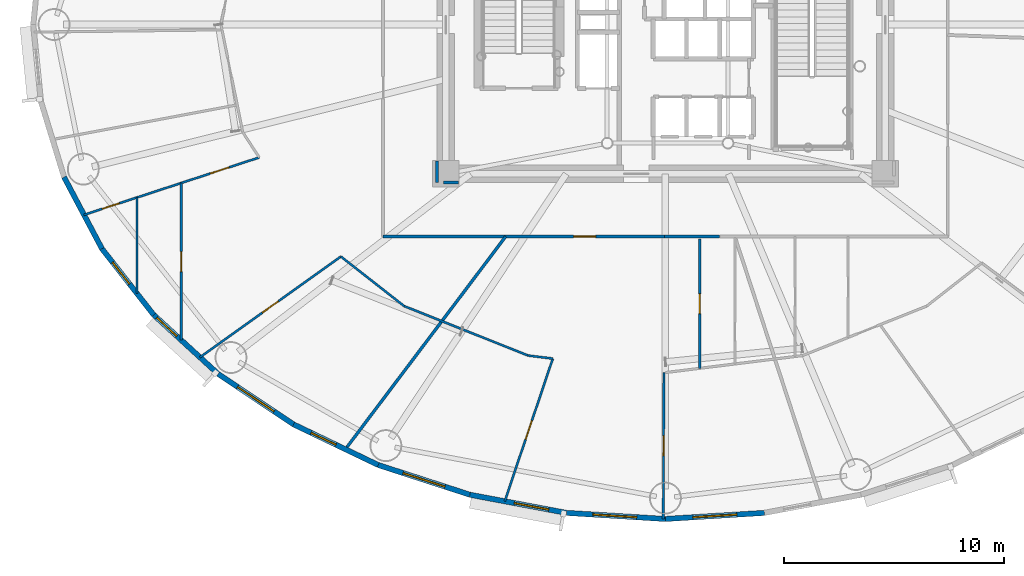
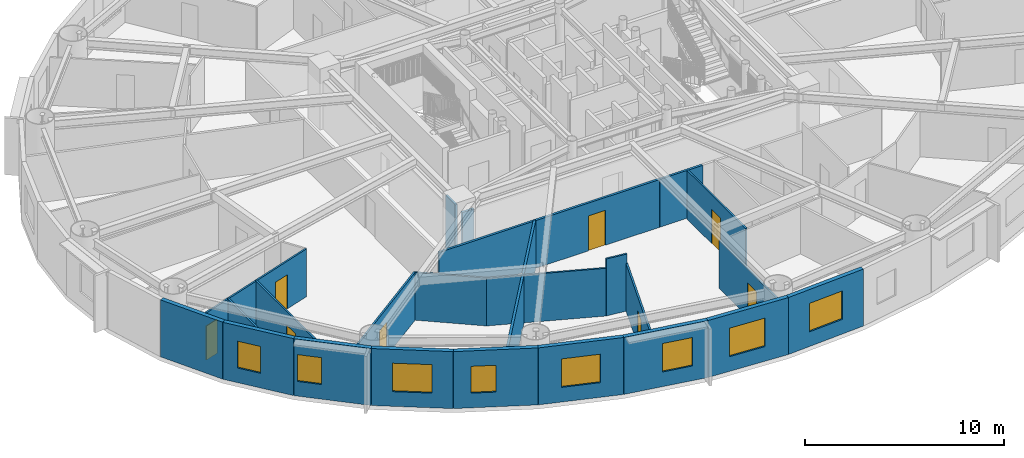
# One storey, part 8 of 19: 24 walls, 8 doors, 8 windows, 16 openings.
"""IFC4 building model written with IfcOpenShell, lengths in metres."""

from ifc_helpers import new_model, si_unit, direction, frame, frame_2d, origin, origin_2d, place, context, subcontext, project, spatial, rectangle, extrude, source, transform, mapped, material, layer, layer_set, type_object, element, fill, save


model = new_model("IFC4")

# Units and contexts
model_context = context("Model", 3, precision=1e-05, world=origin(), true_north=direction((0.0, 1.0)))
body_context = subcontext(model_context, "Body", "Model", "MODEL_VIEW")
ifc_project = project(units=[si_unit("LENGTHUNIT", "METRE"), si_unit("AREAUNIT", "SQUARE_METRE"), si_unit("VOLUMEUNIT", "CUBIC_METRE"), si_unit("PLANEANGLEUNIT", "RADIAN"), si_unit("MASSUNIT", "GRAM", prefix="KILO")], contexts=[model_context])

# Site, building, storey
site_placement = place(None, origin())
site = spatial("IfcSite", under=ifc_project, at=site_placement, CompositionType="ELEMENT")
building_placement = place(site_placement, origin())
building = spatial("IfcBuilding", under=site, at=building_placement, Name="Linh Dai School and Residence Tower", CompositionType="ELEMENT")
storey_placement = place(building_placement, frame((0.0, 0.0, 112.199951171875)))
storey = spatial("IfcBuildingStorey", under=building, at=storey_placement, Name="L26", CompositionType="ELEMENT", Elevation=112.199951171875)

# Wall
ifc_material_1 = material(Name="Precast Concrete B45 (C35/45)", Category="concrete")
ifc_layer_1 = layer(ifc_material_1, 0.239990234375)
ifc_layer_set_1 = layer_set([ifc_layer_1], Name="Precast Concrete B45 (C35/45)")
wall_type_1 = type_object("IfcWallType", Name="EW-TC-240", PredefinedType="SOLIDWALL", material=ifc_layer_set_1)
wall_1_placement = place(storey_placement, frame((10.354736328125, 16.79443359375, 0.0), z_axis=(0.0, 0.0, 1.0), x_axis=(-0.467614004126, 0.883932770716, 0.0)))
element("IfcWall", 1, at=wall_1_placement, inside=storey, type_object=wall_type_1, Name="L26 Terracotta Exterior Wall 23", PredefinedType="SOLIDWALL", context=body_context, shape_type="SweptSolid", body=[
    extrude(rectangle(XDim=3.688720703125, YDim=0.239990234375, at=frame_2d((1.84423828125, 0.0))), origin(), (0.0, 0.0, 1.0), 3.5),
])

# Wall, opening, window
wall_2_placement = place(storey_placement, frame((12.7109375, 13.783447265625, 0.0), z_axis=(0.0, 0.0, 1.0), x_axis=(-0.616272103517, 0.787533297345, 0.0)))
wall_2 = element("IfcWall", 2, at=wall_2_placement, inside=storey, type_object=wall_type_1, Name="L26 Terracotta Exterior Wall 24", PredefinedType="SOLIDWALL", context=body_context, shape_type="SweptSolid", body=[
    extrude(rectangle(XDim=3.8232421875, YDim=0.239990234375, at=frame_2d((1.91162109375, 0.0))), origin(), (0.0, 0.0, 1.0), 3.5),
])
opening_1_placement = place(wall_2_placement, frame((1.791015625, 0.0, 0.89990234375)))
opening_1 = element("IfcOpeningElement", 3, at=opening_1_placement, cuts=wall_2, Name="Opening W3", PredefinedType="OPENING", context=body_context, shape_type="SweptSolid", body=[
    extrude(rectangle(XDim=1.25, YDim=1.64990234375, at=origin_2d()), frame((0.625, 0.1298828125, 0.824951171875), z_axis=(0.0, -1.0, 0.0), x_axis=(1.0, 0.0, 0.0)), (0.0, 0.0, 1.0), 0.260009765625),
])
ifc_material_2 = material(Name="Double Low-E Insulated Glazing", Category="glass")
window_type_1 = type_object("IfcWindowType", Name="WN-RES-1250x1650", PartitioningType="SINGLE_PANEL", PredefinedType="WINDOW", material=ifc_material_2)
shared_shape_1 = source(origin(), body_context, "Body", "SweptSolid", [
    extrude(rectangle(XDim=1.25, YDim=1.64990234375, at=origin_2d()), frame((0.625, 0.030029296875, 0.824951171875), z_axis=(0.0, -1.0, 0.0), x_axis=(1.0, 0.0, 0.0)), (0.0, 0.0, 1.0), 0.06005859375),
])
window_1_placement = place(opening_1_placement, origin())
window_1 = element("IfcWindow", 4, at=window_1_placement, inside=storey, type_object=window_type_1, Name="L26 Exterior Window 24.1", OverallHeight=1.64990234375, OverallWidth=1.25, PartitioningType="SINGLE_PANEL", PredefinedType="WINDOW", context=body_context, shape_type="MappedRepresentation", body=[
    mapped(shared_shape_1, transform((0.0, 0.0, 0.0), x_axis=(1.0, 0.0, 0.0), y_axis=(0.0, 1.0, 0.0), z_axis=(0.0, 0.0, 1.0), scale=1.0)),
])
fill(opening_1, window_1)

wall_3_placement = place(storey_placement, frame((15.6416015625, 11.0966796875, 0.0), z_axis=(0.0, 0.0, 1.0), x_axis=(-0.737113356241, 0.675769117414, 0.0)))
wall_3 = element("IfcWall", 5, at=wall_3_placement, inside=storey, type_object=wall_type_1, Name="L26 Terracotta Exterior Wall 25", PredefinedType="SOLIDWALL", context=body_context, shape_type="SweptSolid", body=[
    extrude(rectangle(XDim=3.975830078125, YDim=0.239990234375, at=frame_2d((1.98779296875, 0.0))), origin(), (0.0, 0.0, 1.0), 3.5),
])
opening_2_placement = place(wall_3_placement, frame((2.5458984375, 0.0, 0.89990234375)))
opening_2 = element("IfcOpeningElement", 6, at=opening_2_placement, cuts=wall_3, Name="Opening W3", PredefinedType="OPENING", context=body_context, shape_type="SweptSolid", body=[
    extrude(rectangle(XDim=1.25, YDim=1.64990234375, at=origin_2d()), frame((0.625, 0.1298828125, 0.824951171875), z_axis=(0.0, -1.0, 0.0), x_axis=(1.0, 0.0, 0.0)), (0.0, 0.0, 1.0), 0.260009765625),
])
window_2_placement = place(opening_2_placement, origin())
window_2 = element("IfcWindow", 7, at=window_2_placement, inside=storey, type_object=window_type_1, Name="L26 Dwelling Window U2603-LIV", OverallHeight=1.64990234375, OverallWidth=1.25, PartitioningType="SINGLE_PANEL", PredefinedType="WINDOW", context=body_context, shape_type="MappedRepresentation", body=[
    mapped(shared_shape_1, transform((0.0, 0.0, 0.0), x_axis=(1.0, 0.0, 0.0), y_axis=(0.0, 1.0, 0.0), z_axis=(0.0, 0.0, 1.0), scale=1.0)),
])
fill(opening_2, window_2)

wall_4_placement = place(storey_placement, frame((19.07470703125, 8.800537109375, 0.0), z_axis=(0.0, 0.0, 1.0), x_axis=(-0.831221811447, 0.555940914284, 0.0)))
wall_4 = element("IfcWall", 8, at=wall_4_placement, inside=storey, type_object=wall_type_1, Name="L26 Terracotta Exterior Wall 26", PredefinedType="SOLIDWALL", context=body_context, shape_type="SweptSolid", body=[
    extrude(rectangle(XDim=4.130126953125, YDim=0.239990234375, at=frame_2d((2.06494140625, 0.0))), origin(), (0.0, 0.0, 1.0), 3.5),
])
opening_3_placement = place(wall_4_placement, frame((1.06494140625, 0.0, 0.89990234375)))
opening_3 = element("IfcOpeningElement", 9, at=opening_3_placement, cuts=wall_4, Name="Opening W1", PredefinedType="OPENING", context=body_context, shape_type="SweptSolid", body=[
    extrude(rectangle(XDim=2.0, YDim=1.75, at=origin_2d()), frame((1.0, 0.1298828125, 0.875), z_axis=(0.0, -1.0, 0.0), x_axis=(1.0, 0.0, 0.0)), (0.0, 0.0, 1.0), 0.260009765625),
])
window_type_2 = type_object("IfcWindowType", Name="WN-RES-2000x1750", PartitioningType="DOUBLE_PANEL_VERTICAL", PredefinedType="WINDOW", material=ifc_material_2)
shared_shape_2 = source(origin(), body_context, "Body", "SweptSolid", [
    extrude(rectangle(XDim=2.0, YDim=1.75, at=origin_2d()), frame((1.0, 0.030029296875, 0.875), z_axis=(0.0, -1.0, 0.0), x_axis=(1.0, 0.0, 0.0)), (0.0, 0.0, 1.0), 0.06005859375),
])
window_3_placement = place(opening_3_placement, origin())
window_3 = element("IfcWindow", 10, at=window_3_placement, inside=storey, type_object=window_type_2, Name="L26 Exterior Window 26.1", OverallHeight=1.75, OverallWidth=2.0, PartitioningType="DOUBLE_PANEL_VERTICAL", PredefinedType="WINDOW", context=body_context, shape_type="MappedRepresentation", body=[
    mapped(shared_shape_2, transform((0.0, 0.0, 0.0), x_axis=(1.0, 0.0, 0.0), y_axis=(0.0, 1.0, 0.0), z_axis=(0.0, 0.0, 1.0), scale=1.0)),
])
fill(opening_3, window_3)

wall_5_placement = place(storey_placement, frame((22.926025390625, 6.95263671875, 0.0), z_axis=(0.0, 0.0, 1.0), x_axis=(-0.901589935876, 0.432591709962, 0.0)))
wall_5 = element("IfcWall", 11, at=wall_5_placement, inside=storey, type_object=wall_type_1, Name="L26 Terracotta Exterior Wall 27", PredefinedType="SOLIDWALL", context=body_context, shape_type="SweptSolid", body=[
    extrude(rectangle(XDim=4.271728515625, YDim=0.239990234375, at=frame_2d((2.1357421875, 0.0))), origin(), (0.0, 0.0, 1.0), 3.5),
])
opening_4_placement = place(wall_5_placement, frame((2.1318359375, 0.0, 0.89990234375)))
opening_4 = element("IfcOpeningElement", 12, at=opening_4_placement, cuts=wall_5, Name="Opening W3", PredefinedType="OPENING", context=body_context, shape_type="SweptSolid", body=[
    extrude(rectangle(XDim=1.25, YDim=1.64990234375, at=origin_2d()), frame((0.625, 0.1298828125, 0.824951171875), z_axis=(0.0, -1.0, 0.0), x_axis=(1.0, 0.0, 0.0)), (0.0, 0.0, 1.0), 0.260009765625),
])
window_4_placement = place(opening_4_placement, origin())
window_4 = element("IfcWindow", 13, at=window_4_placement, inside=storey, type_object=window_type_1, Name="L26 Exterior Window 27.1", OverallHeight=1.64990234375, OverallWidth=1.25, PartitioningType="SINGLE_PANEL", PredefinedType="WINDOW", context=body_context, shape_type="MappedRepresentation", body=[
    mapped(shared_shape_1, transform((0.0, 0.0, 0.0), x_axis=(1.0, 0.0, 0.0), y_axis=(0.0, 1.0, 0.0), z_axis=(0.0, 0.0, 1.0), scale=1.0)),
])
fill(opening_4, window_4)

wall_6_placement = place(storey_placement, frame((27.100341796875, 5.5986328125, 0.0), z_axis=(0.0, 0.0, 1.0), x_axis=(-0.951211346073, 0.308540070495, 0.0)))
wall_6 = element("IfcWall", 14, at=wall_6_placement, inside=storey, type_object=wall_type_1, Name="L26 Terracotta Exterior Wall 28", PredefinedType="SOLIDWALL", context=body_context, shape_type="SweptSolid", body=[
    extrude(rectangle(XDim=4.388427734375, YDim=0.239990234375, at=frame_2d((2.1943359375, 0.0))), origin(), (0.0, 0.0, 1.0), 3.5),
])
opening_5_placement = place(wall_6_placement, frame((1.194091796875, 0.0, 0.89990234375)))
opening_5 = element("IfcOpeningElement", 15, at=opening_5_placement, cuts=wall_6, Name="Opening W1", PredefinedType="OPENING", context=body_context, shape_type="SweptSolid", body=[
    extrude(rectangle(XDim=2.0, YDim=1.75, at=origin_2d()), frame((1.0, 0.1298828125, 0.875), z_axis=(0.0, -1.0, 0.0), x_axis=(1.0, 0.0, 0.0)), (0.0, 0.0, 1.0), 0.260009765625),
])
window_5_placement = place(opening_5_placement, origin())
window_5 = element("IfcWindow", 16, at=window_5_placement, inside=storey, type_object=window_type_2, Name="L26 Exterior Window 28.1", OverallHeight=1.75, OverallWidth=2.0, PartitioningType="DOUBLE_PANEL_VERTICAL", PredefinedType="WINDOW", context=body_context, shape_type="MappedRepresentation", body=[
    mapped(shared_shape_2, transform((0.0, 0.0, 0.0), x_axis=(1.0, 0.0, 0.0), y_axis=(0.0, 1.0, 0.0), z_axis=(0.0, 0.0, 1.0), scale=1.0)),
])
fill(opening_5, window_5)

wall_7_placement = place(storey_placement, frame((31.494384765625, 4.772705078125, 0.0), z_axis=(0.0, 0.0, 1.0), x_axis=(-0.982789252177, 0.184730305596, 0.0)))
wall_7 = element("IfcWall", 17, at=wall_7_placement, inside=storey, type_object=wall_type_1, Name="L26 Terracotta Exterior Wall 29", PredefinedType="SOLIDWALL", context=body_context, shape_type="SweptSolid", body=[
    extrude(rectangle(XDim=4.470947265625, YDim=0.239990234375, at=frame_2d((2.2353515625, 0.0))), origin(), (0.0, 0.0, 1.0), 3.5),
])
opening_6_placement = place(wall_7_placement, frame((0.813720703125, 0.0, 0.89990234375)))
opening_6 = element("IfcOpeningElement", 18, at=opening_6_placement, cuts=wall_7, Name="Opening W2", PredefinedType="OPENING", context=body_context, shape_type="SweptSolid", body=[
    extrude(rectangle(XDim=1.60009765625, YDim=1.75, at=origin_2d()), frame((0.800048828125, 0.1298828125, 0.875), z_axis=(0.0, -1.0, 0.0), x_axis=(1.0, 0.0, 0.0)), (0.0, 0.0, 1.0), 0.260009765625),
])
window_type_3 = type_object("IfcWindowType", Name="WN-RES-1600x1750", PartitioningType="DOUBLE_PANEL_VERTICAL", PredefinedType="WINDOW", material=ifc_material_2)
shared_shape_3 = source(origin(), body_context, "Body", "SweptSolid", [
    extrude(rectangle(XDim=1.60009765625, YDim=1.75, at=origin_2d()), frame((0.800048828125, 0.030029296875, 0.875), z_axis=(0.0, -1.0, 0.0), x_axis=(1.0, 0.0, 0.0)), (0.0, 0.0, 1.0), 0.06005859375),
])
window_6_placement = place(opening_6_placement, origin())
window_6 = element("IfcWindow", 19, at=window_6_placement, inside=storey, type_object=window_type_3, Name="L26 Exterior Window 29.1", OverallHeight=1.75, OverallWidth=1.60009765625, PartitioningType="DOUBLE_PANEL_VERTICAL", PredefinedType="WINDOW", context=body_context, shape_type="MappedRepresentation", body=[
    mapped(shared_shape_3, transform((0.0, 0.0, 0.0), x_axis=(1.0, 0.0, 0.0), y_axis=(0.0, 1.0, 0.0), z_axis=(0.0, 0.0, 1.0), scale=1.0)),
])
fill(opening_6, window_6)

wall_8_placement = place(storey_placement, frame((36.0, 4.4951171875, 0.0), z_axis=(0.0, 0.0, 1.0), x_axis=(-0.998107531589, 0.061492726276, 0.0)))
wall_8 = element("IfcWall", 20, at=wall_8_placement, inside=storey, type_object=wall_type_1, Name="L26 Terracotta Exterior Wall 30", PredefinedType="SOLIDWALL", context=body_context, shape_type="SweptSolid", body=[
    extrude(rectangle(XDim=4.51416015625, YDim=0.239990234375, at=frame_2d((2.257080078125, 0.0))), origin(), (0.0, 0.0, 1.0), 3.5),
])
opening_7_placement = place(wall_8_placement, frame((1.305908203125, 0.0, 0.89990234375)))
opening_7 = element("IfcOpeningElement", 21, at=opening_7_placement, cuts=wall_8, Name="Opening W1", PredefinedType="OPENING", context=body_context, shape_type="SweptSolid", body=[
    extrude(rectangle(XDim=2.0, YDim=1.75, at=origin_2d()), frame((1.0, 0.1298828125, 0.875), z_axis=(0.0, -1.0, 0.0), x_axis=(1.0, 0.0, 0.0)), (0.0, 0.0, 1.0), 0.260009765625),
])
window_7_placement = place(opening_7_placement, origin())
window_7 = element("IfcWindow", 22, at=window_7_placement, inside=storey, type_object=window_type_2, Name="L26 Exterior Window 30.1", OverallHeight=1.75, OverallWidth=2.0, PartitioningType="DOUBLE_PANEL_VERTICAL", PredefinedType="WINDOW", context=body_context, shape_type="MappedRepresentation", body=[
    mapped(shared_shape_2, transform((0.0, 0.0, 0.0), x_axis=(1.0, 0.0, 0.0), y_axis=(0.0, 1.0, 0.0), z_axis=(0.0, 0.0, 1.0), scale=1.0)),
])
fill(opening_7, window_7)

wall_9_placement = place(storey_placement, frame((40.505615234375, 4.772705078125, 0.0), z_axis=(0.0, 0.0, 1.0), x_axis=(-0.998107531589, -0.061492726276, 0.0)))
wall_9 = element("IfcWall", 23, at=wall_9_placement, inside=storey, type_object=wall_type_1, Name="L26 Terracotta Exterior Wall 31", PredefinedType="SOLIDWALL", context=body_context, shape_type="SweptSolid", body=[
    extrude(rectangle(XDim=4.51416015625, YDim=0.239990234375, at=frame_2d((2.257080078125, 0.0))), origin(), (0.0, 0.0, 1.0), 3.5),
])
opening_8_placement = place(wall_9_placement, frame((1.257080078125, 0.0, 0.89990234375)))
opening_8 = element("IfcOpeningElement", 24, at=opening_8_placement, cuts=wall_9, Name="Opening W1", PredefinedType="OPENING", context=body_context, shape_type="SweptSolid", body=[
    extrude(rectangle(XDim=2.0, YDim=1.75, at=origin_2d()), frame((1.0, 0.1298828125, 0.875), z_axis=(0.0, -1.0, 0.0), x_axis=(1.0, 0.0, 0.0)), (0.0, 0.0, 1.0), 0.260009765625),
])
window_8_placement = place(opening_8_placement, origin())
window_8 = element("IfcWindow", 25, at=window_8_placement, inside=storey, type_object=window_type_2, Name="L26 Exterior Window 31.1", OverallHeight=1.75, OverallWidth=2.0, PartitioningType="DOUBLE_PANEL_VERTICAL", PredefinedType="WINDOW", context=body_context, shape_type="MappedRepresentation", body=[
    mapped(shared_shape_2, transform((0.0, 0.0, 0.0), x_axis=(1.0, 0.0, 0.0), y_axis=(0.0, 1.0, 0.0), z_axis=(0.0, 0.0, 1.0), scale=1.0)),
])
fill(opening_8, window_8)

# Wall
ifc_material_3 = material(Name="Autoclaved Aerated Concrete Blockwork", Category="masonry")
ifc_layer_2 = layer(ifc_material_3, 0.135009765625)
ifc_layer_set_2 = layer_set([ifc_layer_2], Name="Autoclaved Aerated Concrete Blockwork")
wall_type_2 = type_object("IfcWallType", Name="IW-CORR-135-EI90", PredefinedType="PARTITIONING", material=ifc_layer_set_2)
wall_10_placement = place(storey_placement, frame((21.429931640625, 7.6650390625, 0.0), z_axis=(0.0, 0.0, 1.0), x_axis=(0.601821582461, 0.798630567211, 0.0)))
element("IfcWall", 26, at=wall_10_placement, inside=storey, type_object=wall_type_2, Name="L26 Interior Partition Wall 018", PredefinedType="PARTITIONING", context=body_context, shape_type="SweptSolid", body=[
    extrude(rectangle(XDim=12.127197265625, YDim=0.135009765625, at=frame_2d((6.0634765625, 0.0))), origin(), (0.0, 0.0, 1.0), 2.93505859375),
])

# Wall, opening, door
wall_11_placement = place(storey_placement, frame((23.14990234375, 17.35009765625, 0.0), z_axis=(0.0, 0.0, 1.0), x_axis=(1.0, 0.0, 0.0)))
wall_11 = element("IfcWall", 27, at=wall_11_placement, inside=storey, type_object=wall_type_2, Name="L26 Interior Partition Wall 021", PredefinedType="PARTITIONING", context=body_context, shape_type="SweptSolid", body=[
    extrude(rectangle(XDim=12.80810546875, YDim=0.135009765625, at=frame_2d((6.404052734375, 0.0))), origin(), (0.0, 0.0, 1.0), 2.93505859375),
])
opening_9_placement = place(wall_11_placement, frame((8.673095703125, 0.0, 0.0)))
opening_9 = element("IfcOpeningElement", 28, at=opening_9_placement, cuts=wall_11, Name="Opening D03", PredefinedType="OPENING", context=body_context, shape_type="SweptSolid", body=[
    extrude(rectangle(XDim=1.0, YDim=2.14990234375, at=origin_2d()), frame((0.5, 0.07763671875, 1.074951171875), z_axis=(0.0, -1.0, 0.0), x_axis=(1.0, 0.0, 0.0)), (0.0, 0.0, 1.0), 0.155029296875),
])
ifc_material_4 = material(Name="Fire-Rated Solid Timber Entrance Door", Category="wood")
door_type_1 = type_object("IfcDoorType", Name="DR-FLAT-1000x2150-FD60S", OperationType="NOTDEFINED", PredefinedType="DOOR", material=ifc_material_4)
shared_shape_4 = source(origin(), body_context, "Body", "SweptSolid", [
    extrude(rectangle(XDim=1.0, YDim=2.14990234375, at=origin_2d()), frame((0.5, 0.02490234375, 1.074951171875), z_axis=(0.0, -1.0, 0.0), x_axis=(1.0, 0.0, 0.0)), (0.0, 0.0, 1.0), 0.050048828125),
])
door_1_placement = place(opening_9_placement, origin())
door_1 = element("IfcDoor", 29, at=door_1_placement, inside=storey, type_object=door_type_1, Name="L26 U2604 Apartment Entrance Door", OperationType="SINGLE_SWING_LEFT", OverallHeight=2.14990234375, OverallWidth=1.0, PredefinedType="DOOR", context=body_context, shape_type="MappedRepresentation", body=[
    mapped(shared_shape_4, transform((0.0, 0.0, 0.0), x_axis=(1.0, 0.0, 0.0), y_axis=(0.0, 1.0, 0.0), z_axis=(0.0, 0.0, 1.0), scale=1.0)),
])
fill(opening_9, door_1)

# Walls
wall_12_placement = place(storey_placement, frame((38.467041015625, 17.35009765625, 0.0), z_axis=(0.0, 0.0, 1.0), x_axis=(-1.0, 0.0, 0.0)))
element("IfcWall", 30, at=wall_12_placement, inside=storey, type_object=wall_type_2, Name="L26 Interior Partition Wall 112", PredefinedType="PARTITIONING", context=body_context, shape_type="SweptSolid", body=[
    extrude(rectangle(XDim=2.499267578125, YDim=0.135009765625, at=frame_2d((1.24951171875, 0.0))), origin(), (0.0, 0.0, 1.0), 2.93505859375),
])
wall_13_placement = place(storey_placement, frame((25.60009765625, 20.7900390625, 0.0), z_axis=(0.0, 0.0, 1.0), x_axis=(0.0, -1.0, 0.0)))
element("IfcWall", 31, at=wall_13_placement, inside=storey, type_object=wall_type_2, Name="L26 Interior Partition Wall 116", PredefinedType="PARTITIONING", context=body_context, shape_type="SweptSolid", body=[
    extrude(rectangle(XDim=0.989990234375, YDim=0.135009765625, at=frame_2d((0.4951171875, 0.0))), origin(), (0.0, 0.0, 1.0), 3.5),
])
wall_14_placement = place(storey_placement, frame((25.907470703125, 19.800048828125, 0.0), z_axis=(0.0, 0.0, 1.0), x_axis=(1.0, 0.0, 0.0)))
element("IfcWall", 32, at=wall_14_placement, inside=storey, type_object=wall_type_2, Name="L26 Interior Partition Wall 117", PredefinedType="PARTITIONING", context=body_context, shape_type="SweptSolid", body=[
    extrude(rectangle(XDim=0.6826171875, YDim=0.135009765625, at=frame_2d((0.34130859375, 0.0))), origin(), (0.0, 0.0, 1.0), 2.93505859375),
])

# Wall, openings, doors
ifc_material_5 = material(Name="Gypsum Plasterboard Acoustic Stud Partition", Category="masonry")
ifc_layer_3 = layer(ifc_material_5, 0.10009765625)
ifc_layer_set_3 = layer_set([ifc_layer_3], Name="Gypsum Plasterboard Acoustic Stud Partition")
wall_type_3 = type_object("IfcWallType", Name="IW-UNIT-100", PredefinedType="PARTITIONING", material=ifc_layer_set_3)
wall_15_placement = place(storey_placement, frame((9.533203125, 18.336669921875, 0.0), z_axis=(0.0, 0.0, 1.0), x_axis=(0.950384937961, 0.311076308478, 0.0)))
wall_15 = element("IfcWall", 33, at=wall_15_placement, inside=storey, type_object=wall_type_3, Name="L26 Interior Partition Wall 005", PredefinedType="PARTITIONING", context=body_context, shape_type="SweptSolid", body=[
    extrude(rectangle(XDim=8.39599609375, YDim=0.10009765625, at=frame_2d((4.197998046875, 0.0))), origin(), (0.0, 0.0, 1.0), 2.93505859375),
])
opening_10_placement = place(wall_15_placement, frame((6.05712890625, 0.0, 0.0)))
opening_10 = element("IfcOpeningElement", 34, at=opening_10_placement, cuts=wall_15, Name="Opening D05", PredefinedType="OPENING", context=body_context, shape_type="SweptSolid", body=[
    extrude(rectangle(XDim=0.89990234375, YDim=2.10009765625, at=origin_2d()), frame((0.449951171875, 0.06005859375, 1.050048828125), z_axis=(0.0, -1.0, 0.0), x_axis=(1.0, 0.0, 0.0)), (0.0, 0.0, 1.0), 0.1201171875),
])
opening_11_placement = place(wall_15_placement, frame((0.879638671875, 0.0, 0.0)))
opening_11 = element("IfcOpeningElement", 35, at=opening_11_placement, cuts=wall_15, Name="Opening D06", PredefinedType="OPENING", context=body_context, shape_type="SweptSolid", body=[
    extrude(rectangle(XDim=0.820068359375, YDim=2.10009765625, at=origin_2d()), frame((0.41015625, 0.06005859375, 1.050048828125), z_axis=(0.0, -1.0, 0.0), x_axis=(1.0, 0.0, 0.0)), (0.0, 0.0, 1.0), 0.1201171875),
])
ifc_material_6 = material(Name="Moisture-Resistant Timber Bathroom Door", Category="wood")
door_type_2 = type_object("IfcDoorType", Name="DR-WET-820x2100", OperationType="NOTDEFINED", PredefinedType="DOOR", material=ifc_material_6)
shared_shape_5 = source(origin(), body_context, "Body", "SweptSolid", [
    extrude(rectangle(XDim=0.820068359375, YDim=2.10009765625, at=origin_2d()), frame((0.41015625, 0.02490234375, 1.050048828125), z_axis=(0.0, -1.0, 0.0), x_axis=(1.0, 0.0, 0.0)), (0.0, 0.0, 1.0), 0.050048828125),
])
door_2_placement = place(opening_11_placement, origin())
door_2 = element("IfcDoor", 36, at=door_2_placement, inside=storey, type_object=door_type_2, Name="L26 Apartment U2603 Bathroom 1 Door", OperationType="SINGLE_SWING_LEFT", OverallHeight=2.10009765625, OverallWidth=0.820068359375, PredefinedType="DOOR", context=body_context, shape_type="MappedRepresentation", body=[
    mapped(shared_shape_5, transform((0.0, 0.0, 0.0), x_axis=(1.0, 0.0, 0.0), y_axis=(0.0, 1.0, 0.0), z_axis=(0.0, 0.0, 1.0), scale=1.0)),
])
fill(opening_11, door_2)
ifc_material_7 = material(Name="Engineered Timber Internal Door", Category="wood")
door_type_3 = type_object("IfcDoorType", Name="DR-INT-900x2100", OperationType="NOTDEFINED", PredefinedType="DOOR", material=ifc_material_7)
shared_shape_6 = source(origin(), body_context, "Body", "SweptSolid", [
    extrude(rectangle(XDim=0.89990234375, YDim=2.10009765625, at=origin_2d()), frame((0.449951171875, 0.02490234375, 1.050048828125), z_axis=(0.0, -1.0, 0.0), x_axis=(1.0, 0.0, 0.0)), (0.0, 0.0, 1.0), 0.050048828125),
])
door_3_placement = place(opening_10_placement, origin())
door_3 = element("IfcDoor", 37, at=door_3_placement, inside=storey, type_object=door_type_3, Name="L26 Apartment U2603 Study Door", OperationType="SINGLE_SWING_LEFT", OverallHeight=2.10009765625, OverallWidth=0.89990234375, PredefinedType="DOOR", context=body_context, shape_type="MappedRepresentation", body=[
    mapped(shared_shape_6, transform((0.0, 0.0, 0.0), x_axis=(1.0, 0.0, 0.0), y_axis=(0.0, 1.0, 0.0), z_axis=(0.0, 0.0, 1.0), scale=1.0)),
])
fill(opening_10, door_3)

# Wall
wall_16_placement = place(storey_placement, frame((11.946533203125, 14.752197265625, 0.0), z_axis=(0.0, 0.0, 1.0), x_axis=(0.0, 1.0, 0.0)))
element("IfcWall", 38, at=wall_16_placement, inside=storey, type_object=wall_type_3, Name="L26 Interior Partition Wall 007", PredefinedType="PARTITIONING", context=body_context, shape_type="SweptSolid", body=[
    extrude(rectangle(XDim=4.374267578125, YDim=0.10009765625, at=frame_2d((2.18701171875, 0.0))), origin(), (0.0, 0.0, 1.0), 2.93505859375),
])

# Wall, opening, door
wall_17_placement = place(storey_placement, frame((13.960205078125, 12.63134765625, 0.0), z_axis=(0.0, 0.0, 1.0), x_axis=(0.0, 1.0, 0.0)))
wall_17 = element("IfcWall", 39, at=wall_17_placement, inside=storey, type_object=wall_type_3, Name="L26 Interior Partition Wall 008", PredefinedType="PARTITIONING", context=body_context, shape_type="SweptSolid", body=[
    extrude(rectangle(XDim=7.154296875, YDim=0.10009765625, at=frame_2d((3.5771484375, 0.0))), origin(), (0.0, 0.0, 1.0), 2.93505859375),
])
opening_12_placement = place(wall_17_placement, frame((3.127197265625, 0.0, 0.0)))
opening_12 = element("IfcOpeningElement", 40, at=opening_12_placement, cuts=wall_17, Name="Opening D05", PredefinedType="OPENING", context=body_context, shape_type="SweptSolid", body=[
    extrude(rectangle(XDim=0.89990234375, YDim=2.10009765625, at=origin_2d()), frame((0.449951171875, 0.06005859375, 1.050048828125), z_axis=(0.0, -1.0, 0.0), x_axis=(1.0, 0.0, 0.0)), (0.0, 0.0, 1.0), 0.1201171875),
])
door_4_placement = place(opening_12_placement, origin())
door_4 = element("IfcDoor", 41, at=door_4_placement, inside=storey, type_object=door_type_3, Name="L26 Apartment U2603 Kitchen Door", OperationType="SINGLE_SWING_RIGHT", OverallHeight=2.10009765625, OverallWidth=0.89990234375, PredefinedType="DOOR", context=body_context, shape_type="MappedRepresentation", body=[
    mapped(shared_shape_6, transform((0.0, 0.0, 0.0), x_axis=(1.0, 0.0, 0.0), y_axis=(0.0, 1.0, 0.0), z_axis=(0.0, 0.0, 1.0), scale=1.0)),
])
fill(opening_12, door_4)

wall_18_placement = place(storey_placement, frame((14.811279296875, 11.851318359375, 0.0), z_axis=(0.0, 0.0, 1.0), x_axis=(0.813476205606, 0.581598197137, 0.0)))
wall_18 = element("IfcWall", 42, at=wall_18_placement, inside=storey, type_object=wall_type_3, Name="L26 Interior Partition Wall 010", PredefinedType="PARTITIONING", context=body_context, shape_type="SweptSolid", body=[
    extrude(rectangle(XDim=7.88916015625, YDim=0.10009765625, at=frame_2d((3.944580078125, 0.0))), origin(), (0.0, 0.0, 1.0), 2.93505859375),
])
opening_13_placement = place(wall_18_placement, frame((3.49462890625, 0.0, 0.0)))
opening_13 = element("IfcOpeningElement", 43, at=opening_13_placement, cuts=wall_18, Name="Opening D05", PredefinedType="OPENING", context=body_context, shape_type="SweptSolid", body=[
    extrude(rectangle(XDim=0.89990234375, YDim=2.10009765625, at=origin_2d()), frame((0.449951171875, 0.06005859375, 1.050048828125), z_axis=(0.0, -1.0, 0.0), x_axis=(1.0, 0.0, 0.0)), (0.0, 0.0, 1.0), 0.1201171875),
])
door_5_placement = place(opening_13_placement, origin())
door_5 = element("IfcDoor", 44, at=door_5_placement, inside=storey, type_object=door_type_3, Name="L26 Apartment U2603 Principal Bedroom 3 Door", OperationType="SINGLE_SWING_RIGHT", OverallHeight=2.10009765625, OverallWidth=0.89990234375, PredefinedType="DOOR", context=body_context, shape_type="MappedRepresentation", body=[
    mapped(shared_shape_6, transform((0.0, 0.0, 0.0), x_axis=(1.0, 0.0, 0.0), y_axis=(0.0, 1.0, 0.0), z_axis=(0.0, 0.0, 1.0), scale=1.0)),
])
fill(opening_13, door_5)

# Walls
wall_19_placement = place(storey_placement, frame((21.22900390625, 16.439697265625, 0.0), z_axis=(0.0, 0.0, 1.0), x_axis=(0.787324700524, -0.616538576201, 0.0)))
element("IfcWall", 45, at=wall_19_placement, inside=storey, type_object=wall_type_3, Name="L26 Interior Partition Wall 017", PredefinedType="PARTITIONING", context=body_context, shape_type="SweptSolid", body=[
    extrude(rectangle(XDim=3.658203125, YDim=0.10009765625, at=frame_2d((1.8291015625, 0.0))), origin(), (0.0, 0.0, 1.0), 2.93505859375),
])
wall_20_placement = place(storey_placement, frame((24.109130859375, 14.184326171875, 0.0), z_axis=(0.0, 0.0, 1.0), x_axis=(0.928803554156, -0.370572473055, 0.0)))
element("IfcWall", 46, at=wall_20_placement, inside=storey, type_object=wall_type_3, Name="L26 Interior Partition Wall 023", PredefinedType="PARTITIONING", context=body_context, shape_type="SweptSolid", body=[
    extrude(rectangle(XDim=6.07177734375, YDim=0.10009765625, at=frame_2d((3.035888671875, 0.0))), origin(), (0.0, 0.0, 1.0), 2.93505859375),
])

# Wall, opening, door
wall_21_placement = place(storey_placement, frame((28.68505859375, 5.295654296875, 0.0), z_axis=(0.0, 0.0, 1.0), x_axis=(0.319387131438, 0.947624324441, 0.0)))
wall_21 = element("IfcWall", 47, at=wall_21_placement, inside=storey, type_object=wall_type_3, Name="L26 Interior Partition Wall 026", PredefinedType="PARTITIONING", context=body_context, shape_type="SweptSolid", body=[
    extrude(rectangle(XDim=6.858154296875, YDim=0.10009765625, at=frame_2d((3.42919921875, 0.0))), origin(), (0.0, 0.0, 1.0), 2.93505859375),
])
opening_14_placement = place(wall_21_placement, frame((2.97900390625, 0.0, 0.0)))
opening_14 = element("IfcOpeningElement", 48, at=opening_14_placement, cuts=wall_21, Name="Opening D05", PredefinedType="OPENING", context=body_context, shape_type="SweptSolid", body=[
    extrude(rectangle(XDim=0.89990234375, YDim=2.10009765625, at=origin_2d()), frame((0.449951171875, 0.06005859375, 1.050048828125), z_axis=(0.0, -1.0, 0.0), x_axis=(1.0, 0.0, 0.0)), (0.0, 0.0, 1.0), 0.1201171875),
])
door_6_placement = place(opening_14_placement, origin())
door_6 = element("IfcDoor", 49, at=door_6_placement, inside=storey, type_object=door_type_3, Name="L26 Apartment U2604 Principal Bedroom 1 Door", OperationType="SINGLE_SWING_RIGHT", OverallHeight=2.10009765625, OverallWidth=0.89990234375, PredefinedType="DOOR", context=body_context, shape_type="MappedRepresentation", body=[
    mapped(shared_shape_6, transform((0.0, 0.0, 0.0), x_axis=(1.0, 0.0, 0.0), y_axis=(0.0, 1.0, 0.0), z_axis=(0.0, 0.0, 1.0), scale=1.0)),
])
fill(opening_14, door_6)

# Wall
wall_22_placement = place(storey_placement, frame((29.74853515625, 11.934326171875, 0.0), z_axis=(0.0, 0.0, 1.0), x_axis=(0.99240961586, -0.122976234894, 0.0)))
element("IfcWall", 50, at=wall_22_placement, inside=storey, type_object=wall_type_3, Name="L26 Interior Partition Wall 029", PredefinedType="PARTITIONING", context=body_context, shape_type="SweptSolid", body=[
    extrude(rectangle(XDim=1.135498046875, YDim=0.10009765625, at=frame_2d((0.56787109375, 0.0))), origin(), (0.0, 0.0, 1.0), 3.5),
])

# Wall, opening, door
wall_23_placement = place(storey_placement, frame((35.90185546875, 4.49609375, 0.0), z_axis=(0.0, 0.0, 1.0), x_axis=(0.004354785612, 0.999990517876, 0.0)))
wall_23 = element("IfcWall", 51, at=wall_23_placement, inside=storey, type_object=wall_type_3, Name="L26 Interior Partition Wall 052", PredefinedType="PARTITIONING", context=body_context, shape_type="SweptSolid", body=[
    extrude(rectangle(XDim=6.67138671875, YDim=0.10009765625, at=frame_2d((3.335693359375, 0.0))), origin(), (0.0, 0.0, 1.0), 2.93505859375),
])
opening_15_placement = place(wall_23_placement, frame((2.8857421875, 0.0, 0.0)))
opening_15 = element("IfcOpeningElement", 52, at=opening_15_placement, cuts=wall_23, Name="Opening D05", PredefinedType="OPENING", context=body_context, shape_type="SweptSolid", body=[
    extrude(rectangle(XDim=0.89990234375, YDim=2.10009765625, at=origin_2d()), frame((0.449951171875, 0.06005859375, 1.050048828125), z_axis=(0.0, -1.0, 0.0), x_axis=(1.0, 0.0, 0.0)), (0.0, 0.0, 1.0), 0.1201171875),
])
door_7_placement = place(opening_15_placement, origin())
door_7 = element("IfcDoor", 53, at=door_7_placement, inside=storey, type_object=door_type_3, Name="L26 Apartment U2604 Principal Bedroom 2 Door", OperationType="SINGLE_SWING_LEFT", OverallHeight=2.10009765625, OverallWidth=0.89990234375, PredefinedType="DOOR", context=body_context, shape_type="MappedRepresentation", body=[
    mapped(shared_shape_6, transform((0.0, 0.0, 0.0), x_axis=(1.0, 0.0, 0.0), y_axis=(0.0, 1.0, 0.0), z_axis=(0.0, 0.0, 1.0), scale=1.0)),
])
fill(opening_15, door_7)

wall_24_placement = place(storey_placement, frame((37.563720703125, 11.35302734375, 0.0), z_axis=(0.0, 0.0, 1.0), x_axis=(0.0, 1.0, 0.0)))
wall_24 = element("IfcWall", 54, at=wall_24_placement, inside=storey, type_object=wall_type_3, Name="L26 Interior Partition Wall 061", PredefinedType="PARTITIONING", context=body_context, shape_type="SweptSolid", body=[
    extrude(rectangle(XDim=5.8837890625, YDim=0.10009765625, at=frame_2d((2.94189453125, 0.0))), origin(), (0.0, 0.0, 1.0), 2.985107421875),
])
opening_16_placement = place(wall_24_placement, frame((2.491943359375, 0.0, 0.0)))
opening_16 = element("IfcOpeningElement", 55, at=opening_16_placement, cuts=wall_24, Name="Opening D05", PredefinedType="OPENING", context=body_context, shape_type="SweptSolid", body=[
    extrude(rectangle(XDim=0.89990234375, YDim=2.10009765625, at=origin_2d()), frame((0.449951171875, 0.06005859375, 1.050048828125), z_axis=(0.0, -1.0, 0.0), x_axis=(1.0, 0.0, 0.0)), (0.0, 0.0, 1.0), 0.1201171875),
])
door_8_placement = place(opening_16_placement, origin())
door_8 = element("IfcDoor", 56, at=door_8_placement, inside=storey, type_object=door_type_3, Name="L26 Apartment U2604 Kitchen Door", OperationType="SINGLE_SWING_RIGHT", OverallHeight=2.10009765625, OverallWidth=0.89990234375, PredefinedType="DOOR", context=body_context, shape_type="MappedRepresentation", body=[
    mapped(shared_shape_6, transform((0.0, 0.0, 0.0), x_axis=(1.0, 0.0, 0.0), y_axis=(0.0, 1.0, 0.0), z_axis=(0.0, 0.0, 1.0), scale=1.0)),
])
fill(opening_16, door_8)

save(model, "model.ifc")
